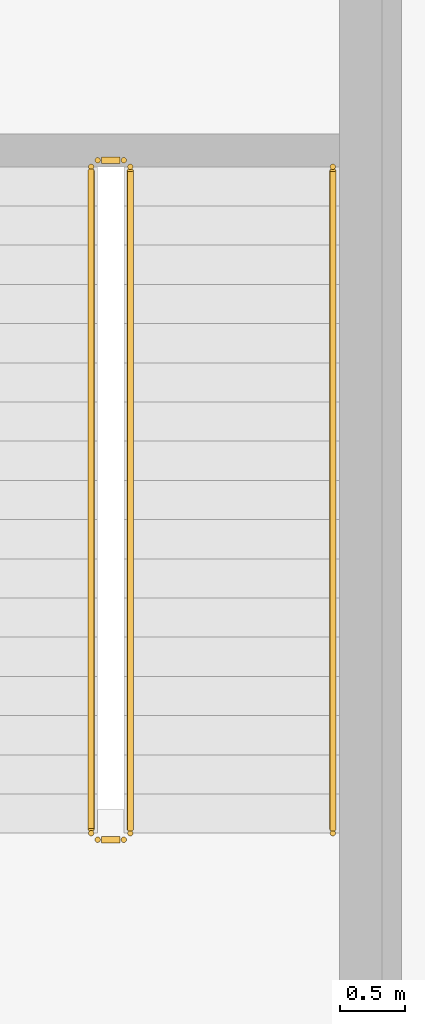
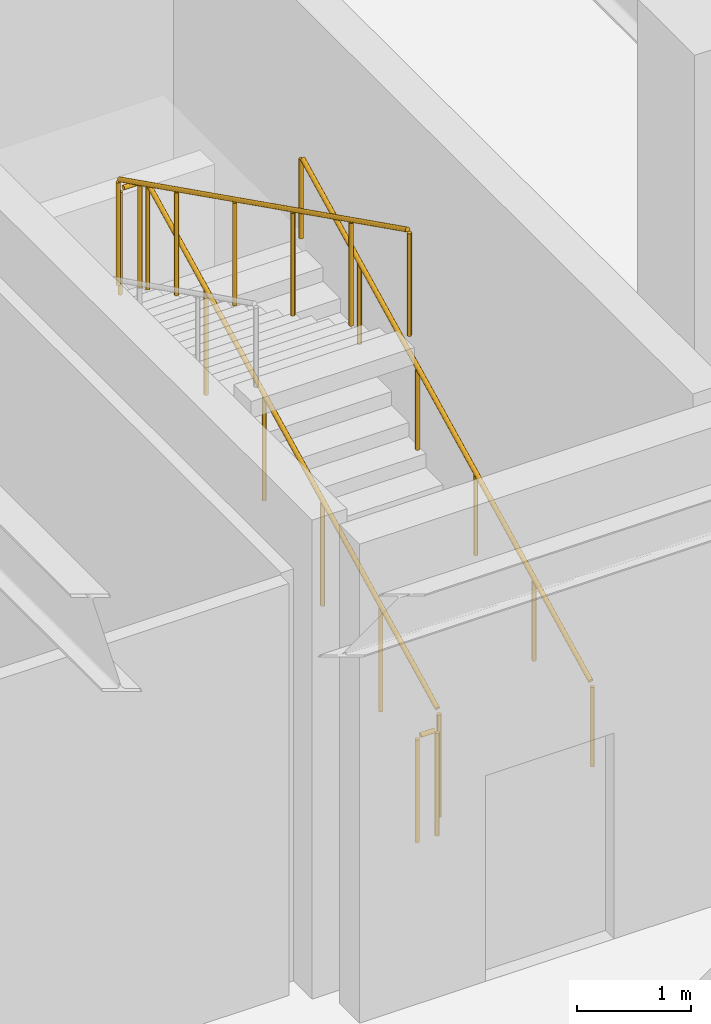
# One storey, part 133 of 140: 5 railings.
"""IFC4 building model written with IfcOpenShell, lengths in metres."""

from ifc_helpers import new_model, si_unit, direction, frame, origin, origin_2d, place, context, subcontext, project, spatial, circle, extrude, material, type_object, element, save


model = new_model("IFC4")

# Units and contexts
model_context = context("Model", 3, precision=1e-05, world=origin(), true_north=direction((0.0, 1.0)))
body_context = subcontext(model_context, "Body", "Model", "MODEL_VIEW")
ifc_project = project(units=[si_unit("LENGTHUNIT", "METRE"), si_unit("AREAUNIT", "SQUARE_METRE"), si_unit("VOLUMEUNIT", "CUBIC_METRE"), si_unit("PLANEANGLEUNIT", "RADIAN"), si_unit("MASSUNIT", "GRAM", prefix="KILO")], contexts=[model_context])

# Site, building, storey
site_placement = place(None, origin())
site = spatial("IfcSite", under=ifc_project, at=site_placement, CompositionType="ELEMENT")
building_placement = place(site_placement, origin())
building = spatial("IfcBuilding", under=site, at=building_placement, Name="Haizhuo Lancet Aquarium", CompositionType="ELEMENT")
storey_placement = place(building_placement, origin())
storey = spatial("IfcBuildingStorey", under=building, at=storey_placement, Name="L00", CompositionType="ELEMENT", Elevation=0.0)

# Railings
ifc_material = material(Name="Steel S355", Category="steel")
railing_type_1 = type_object("IfcRailingType", Name="RL-GRD-1150", PredefinedType="GUARDRAIL", material=ifc_material)
railing_1_placement = place(storey_placement, frame((-49.5, 15.050048828125, 0.14990234375)))
element("IfcRailing", 1, at=railing_1_placement, inside=storey, type_object=railing_type_1, Name="L00 ST-03 stair guard 1", PredefinedType="GUARDRAIL", context=body_context, shape_type="SweptSolid", body=[
    extrude(circle(Radius=0.02392578125, at=origin_2d()), frame((0.0, 0.02685546875, 1.13916015625), z_axis=(0.0, 0.894418627299, 0.447230722492), x_axis=(-1.0, 0.0, 0.0)), (0.0, 0.0, 1.0), 5.641845703125),
    extrude(circle(Radius=0.02099609375, at=origin_2d()), origin(), (0.0, 0.0, 1.0), 1.097900390625),
    extrude(circle(Radius=0.02099609375, at=origin_2d()), frame((0.0, 1.02001953125, 0.510009765625)), (0.0, 0.0, 1.0), 1.097900390625),
    extrude(circle(Radius=0.02099609375, at=origin_2d()), frame((0.0, 2.0400390625, 1.02001953125)), (0.0, 0.0, 1.0), 1.097900390625),
    extrude(circle(Radius=0.02099609375, at=origin_2d()), frame((0.0, 3.059814453125, 1.530029296875)), (0.0, 0.0, 1.0), 1.097900390625),
    extrude(circle(Radius=0.02099609375, at=origin_2d()), frame((0.0, 4.079833984375, 2.0400390625)), (0.0, 0.0, 1.0), 1.097900390625),
    extrude(circle(Radius=0.02099609375, at=origin_2d()), frame((0.0, 5.099853515625, 2.550048828125)), (0.0, 0.0, 1.0), 1.097900390625),
])
railing_2_placement = place(storey_placement, frame((-49.550048828125, 20.199951171875, 2.699951171875)))
element("IfcRailing", 2, at=railing_2_placement, inside=storey, type_object=railing_type_1, Name="L00 ST-03 stair guard 2", PredefinedType="GUARDRAIL", context=body_context, shape_type="SweptSolid", body=[
    extrude(circle(Radius=0.02392578125, at=origin_2d()), frame((-0.030029296875, 0.0, 1.1259765625), z_axis=(-1.0, 0.0, 0.0), x_axis=(0.0, -1.0, 0.0)), (0.0, 0.0, 1.0), 0.139892578125),
    extrude(circle(Radius=0.02099609375, at=origin_2d()), origin(), (0.0, 0.0, 1.0), 1.097900390625),
    extrude(circle(Radius=0.02099609375, at=origin_2d()), frame((-0.199951171875, 0.0, 0.0)), (0.0, 0.0, 1.0), 1.097900390625),
])
railing_3_placement = place(storey_placement, frame((-49.800048828125, 20.14990234375, 2.85009765625)))
element("IfcRailing", 3, at=railing_3_placement, inside=storey, type_object=railing_type_1, Name="L00 ST-03 stair guard 3", PredefinedType="GUARDRAIL", context=body_context, shape_type="SweptSolid", body=[
    extrude(circle(Radius=0.02392578125, at=origin_2d()), frame((0.0, -0.02685546875, 1.13916015625), z_axis=(0.0, -0.894435754537, 0.447196468016), x_axis=(1.0, 0.0, 0.0)), (0.0, 0.0, 1.0), 5.641845703125),
    extrude(circle(Radius=0.02099609375, at=origin_2d()), origin(), (0.0, 0.0, 1.0), 1.097900390625),
    extrude(circle(Radius=0.02099609375, at=origin_2d()), frame((0.0, -1.02001953125, 0.510009765625)), (0.0, 0.0, 1.0), 1.097900390625),
    extrude(circle(Radius=0.02099609375, at=origin_2d()), frame((0.0, -2.0400390625, 1.02001953125)), (0.0, 0.0, 1.0), 1.097900390625),
    extrude(circle(Radius=0.02099609375, at=origin_2d()), frame((0.0, -3.059814453125, 1.52978515625)), (0.0, 0.0, 1.0), 1.097900390625),
    extrude(circle(Radius=0.02099609375, at=origin_2d()), frame((0.0, -4.079833984375, 2.039794921875)), (0.0, 0.0, 1.0), 1.097900390625),
    extrude(circle(Radius=0.02099609375, at=origin_2d()), frame((0.0, -5.099853515625, 2.5498046875)), (0.0, 0.0, 1.0), 1.097900390625),
])
railing_4_placement = place(storey_placement, frame((-49.550048828125, 15.0, 0.0)))
element("IfcRailing", 4, at=railing_4_placement, inside=storey, type_object=railing_type_1, Name="L00 ST-03 stair guard 4", PredefinedType="GUARDRAIL", context=body_context, shape_type="SweptSolid", body=[
    extrude(circle(Radius=0.02392578125, at=origin_2d()), frame((-0.030029296875, 0.0, 1.1259765625), z_axis=(-1.0, 0.0, 0.0), x_axis=(0.0, -1.0, 0.0)), (0.0, 0.0, 1.0), 0.139892578125),
    extrude(circle(Radius=0.02099609375, at=origin_2d()), origin(), (0.0, 0.0, 1.0), 1.097900390625),
    extrude(circle(Radius=0.02099609375, at=origin_2d()), frame((-0.199951171875, 0.0, 0.0)), (0.0, 0.0, 1.0), 1.097900390625),
])
railing_type_2 = type_object("IfcRailingType", Name="RL-HDR-900", PredefinedType="HANDRAIL", material=ifc_material)
railing_5_placement = place(storey_placement, frame((-47.949951171875, 15.050048828125, 0.14990234375)))
element("IfcRailing", 5, at=railing_5_placement, inside=storey, type_object=railing_type_2, Name="L00 ST-03 pitch handrail 1", PredefinedType="HANDRAIL", context=body_context, shape_type="SweptSolid", body=[
    extrude(circle(Radius=0.02392578125, at=origin_2d()), frame((0.0, 0.02685546875, 0.88916015625), z_axis=(0.0, 0.894418627299, 0.447230722492), x_axis=(-1.0, 0.0, 0.0)), (0.0, 0.0, 1.0), 5.641845703125),
    extrude(circle(Radius=0.02099609375, at=origin_2d()), origin(), (0.0, 0.0, 1.0), 0.847900390625),
    extrude(circle(Radius=0.02099609375, at=origin_2d()), frame((0.0, 1.02001953125, 0.510009765625)), (0.0, 0.0, 1.0), 0.847900390625),
    extrude(circle(Radius=0.02099609375, at=origin_2d()), frame((0.0, 2.0400390625, 1.02001953125)), (0.0, 0.0, 1.0), 0.847900390625),
    extrude(circle(Radius=0.02099609375, at=origin_2d()), frame((0.0, 3.059814453125, 1.530029296875)), (0.0, 0.0, 1.0), 0.847900390625),
    extrude(circle(Radius=0.02099609375, at=origin_2d()), frame((0.0, 4.079833984375, 2.0400390625)), (0.0, 0.0, 1.0), 0.847900390625),
    extrude(circle(Radius=0.02099609375, at=origin_2d()), frame((0.0, 5.099853515625, 2.550048828125)), (0.0, 0.0, 1.0), 0.847900390625),
])

save(model, "model.ifc")
